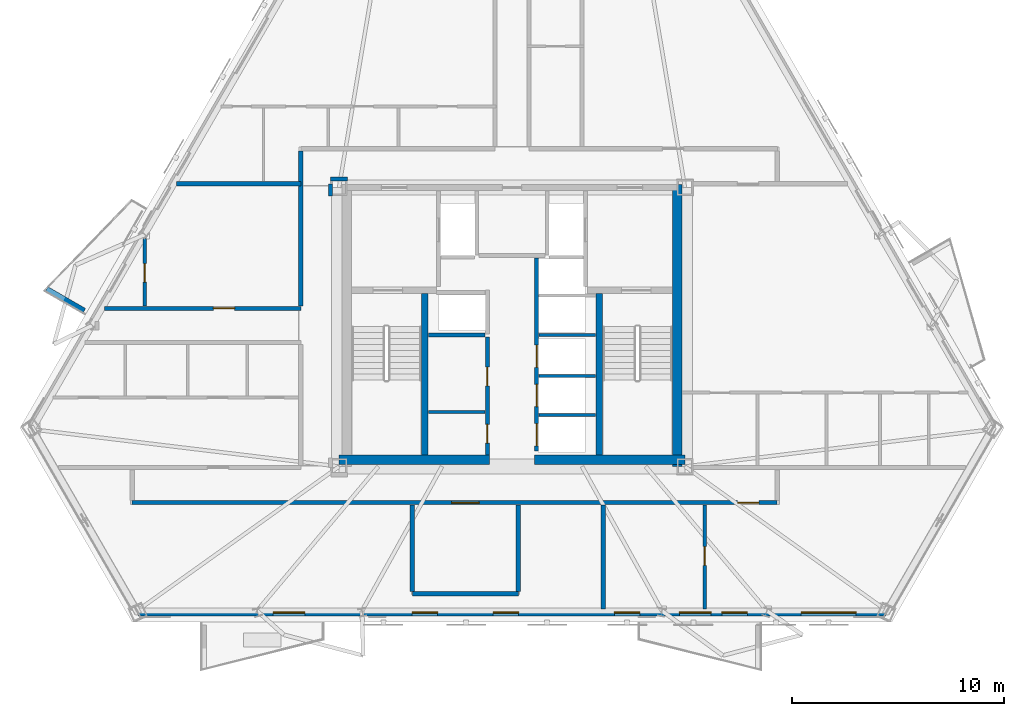
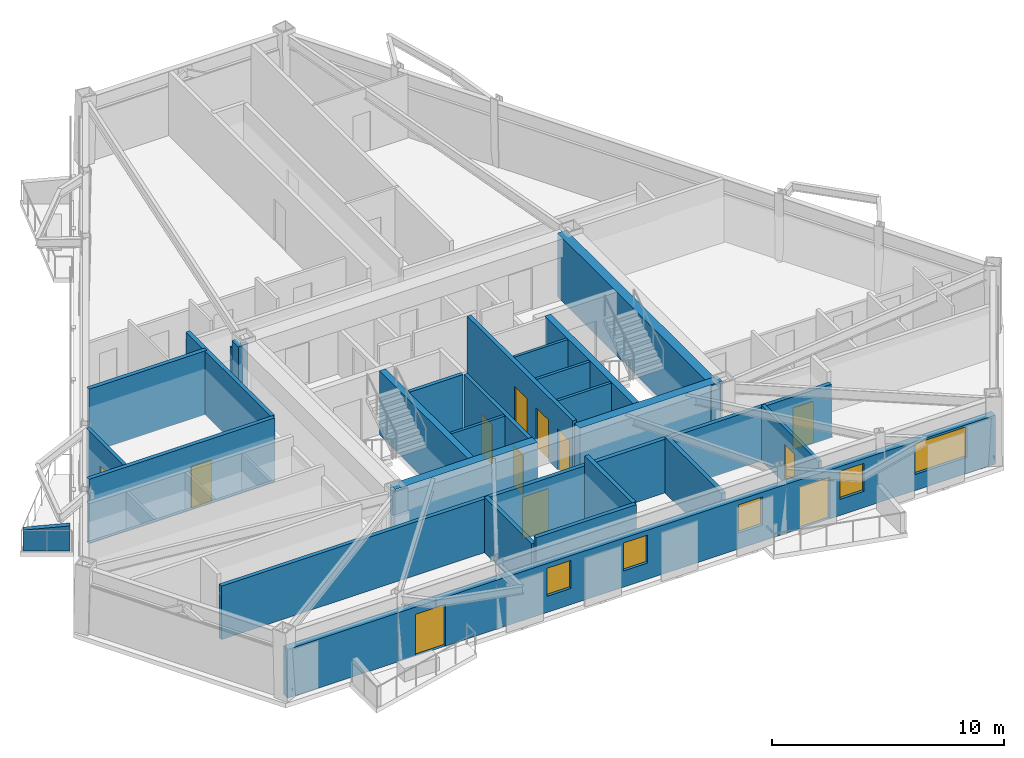
# One storey, part 3 of 9: 26 walls, 12 doors, 5 windows, 17 openings.
"""IFC4 building model written with IfcOpenShell, lengths in metres."""

from ifc_helpers import new_model, si_unit, direction, frame, frame_2d, origin, place, context, subcontext, project, spatial, polyline, rectangle, outline, extrude, material, layer, layer_set, type_object, element, fill, save


model = new_model("IFC4")

# Units and contexts
model_context = context("Model", 3, precision=1e-05, world=origin(), true_north=direction((0.0, 1.0)))
body_context = subcontext(model_context, "Body", "Model", "MODEL_VIEW")
ifc_project = project(units=[si_unit("LENGTHUNIT", "METRE"), si_unit("AREAUNIT", "SQUARE_METRE"), si_unit("VOLUMEUNIT", "CUBIC_METRE"), si_unit("PLANEANGLEUNIT", "RADIAN"), si_unit("MASSUNIT", "GRAM", prefix="KILO")], contexts=[model_context])

# Site, building, storey
site_placement = place(None, origin())
site = spatial("IfcSite", under=ifc_project, at=site_placement, CompositionType="ELEMENT")
building_placement = place(site_placement, origin())
building = spatial("IfcBuilding", under=site, at=building_placement, Name="Oramaril Tower", CompositionType="ELEMENT")
storey_placement = place(building_placement, frame((0.0, 0.0, 138.60009765625)))
storey = spatial("IfcBuildingStorey", under=building, at=storey_placement, Name="L36", CompositionType="ELEMENT", Elevation=138.60009765625)

# Wall, openings, doors, windows
ifc_material_1 = material(Name="Warm Cream Limestone", Category="masonry")
ifc_layer_1 = layer(ifc_material_1, 0.340087890625)
ifc_layer_set_1 = layer_set([ifc_layer_1], Name="WT-EXT34")
wall_type_1 = type_object("IfcWallType", Name="WT-EXT34", PredefinedType="SOLIDWALL", material=ifc_layer_set_1)
wall_1_placement = place(storey_placement, frame((19.867919921875, 4.120849609375, 0.0), z_axis=(0.0, 0.0, 1.0), x_axis=(1.0, 0.0, 0.0)))
wall_1 = element("IfcWall", 1, at=wall_1_placement, inside=storey, type_object=wall_type_1, Name="L36 Tower Limestone Facade Wall 2M", PredefinedType="SOLIDWALL", context=body_context, shape_type="SweptSolid", body=[
    extrude(rectangle(XDim=35.26416015625, YDim=0.340087890625, at=frame_2d((17.632080078125, 0.0))), origin(), (0.0, 0.0, 1.0), 2.579833984375),
])
opening_1_placement = place(wall_1_placement, frame((6.369384765625, 0.0, 0.0)))
opening_1 = element("IfcOpeningElement", 2, at=opening_1_placement, cuts=wall_1, Name="Opening D-L36-BAL-S1", PredefinedType="OPENING", context=body_context, shape_type="SweptSolid", body=[
    extrude(rectangle(XDim=1.5, YDim=2.199951171875, at=frame_2d((0.75, 1.10009765625))), frame((0.0, 0.169921875, 0.0), z_axis=(0.0, -1.0, 0.0), x_axis=(1.0, 0.0, 0.0)), (0.0, 0.0, 1.0), 0.340087890625),
])
opening_2_placement = place(wall_1_placement, frame((25.519775390625, 0.0, 0.0)))
opening_2 = element("IfcOpeningElement", 3, at=opening_2_placement, cuts=wall_1, Name="Opening D-L36-BAL-S2", PredefinedType="OPENING", context=body_context, shape_type="SweptSolid", body=[
    extrude(rectangle(XDim=1.5, YDim=2.199951171875, at=frame_2d((0.75, 1.10009765625))), frame((0.0, 0.169921875, 0.0), z_axis=(0.0, -1.0, 0.0), x_axis=(1.0, 0.0, 0.0)), (0.0, 0.0, 1.0), 0.340087890625),
])
opening_3_placement = place(wall_1_placement, frame((12.923828125, 0.0, 0.85009765625)))
opening_3 = element("IfcOpeningElement", 4, at=opening_3_placement, cuts=wall_1, Name="Opening WN-09", PredefinedType="OPENING", context=body_context, shape_type="SweptSolid", body=[
    extrude(rectangle(XDim=1.199951171875, YDim=1.47998046875, at=frame_2d((0.60009765625, 0.739990234375))), frame((0.0, 0.169921875, 0.0), z_axis=(0.0, -1.0, 0.0), x_axis=(1.0, 0.0, 0.0)), (0.0, 0.0, 1.0), 0.340087890625),
])
opening_4_placement = place(wall_1_placement, frame((16.740478515625, 0.0, 0.85009765625)))
opening_4 = element("IfcOpeningElement", 5, at=opening_4_placement, cuts=wall_1, Name="Opening WN-09", PredefinedType="OPENING", context=body_context, shape_type="SweptSolid", body=[
    extrude(rectangle(XDim=1.199951171875, YDim=1.47998046875, at=frame_2d((0.60009765625, 0.739990234375))), frame((0.0, 0.169921875, 0.0), z_axis=(0.0, -1.0, 0.0), x_axis=(1.0, 0.0, 0.0)), (0.0, 0.0, 1.0), 0.340087890625),
])
opening_5_placement = place(wall_1_placement, frame((27.5283203125, 0.0, 0.85009765625)))
opening_5 = element("IfcOpeningElement", 6, at=opening_5_placement, cuts=wall_1, Name="Opening WN-09", PredefinedType="OPENING", context=body_context, shape_type="SweptSolid", body=[
    extrude(rectangle(XDim=1.199951171875, YDim=1.47998046875, at=frame_2d((0.60009765625, 0.739990234375))), frame((0.0, 0.169921875, 0.0), z_axis=(0.0, -1.0, 0.0), x_axis=(1.0, 0.0, 0.0)), (0.0, 0.0, 1.0), 0.340087890625),
])
opening_6_placement = place(wall_1_placement, frame((31.252685546875, 0.0, 0.85009765625)))
opening_6 = element("IfcOpeningElement", 7, at=opening_6_placement, cuts=wall_1, Name="Opening WN-02", PredefinedType="OPENING", context=body_context, shape_type="SweptSolid", body=[
    extrude(rectangle(XDim=2.60009765625, YDim=1.6201171875, at=frame_2d((1.300048828125, 0.81005859375))), frame((0.0, 0.169921875, 0.0), z_axis=(0.0, -1.0, 0.0), x_axis=(1.0, 0.0, 0.0)), (0.0, 0.0, 1.0), 0.340087890625),
])
opening_7_placement = place(wall_1_placement, frame((22.45703125, 0.0, 0.85009765625)))
opening_7 = element("IfcOpeningElement", 8, at=opening_7_placement, cuts=wall_1, Name="Opening WN-09", PredefinedType="OPENING", context=body_context, shape_type="SweptSolid", body=[
    extrude(rectangle(XDim=1.199951171875, YDim=1.47998046875, at=frame_2d((0.60009765625, 0.739990234375))), frame((0.0, 0.169921875, 0.0), z_axis=(0.0, -1.0, 0.0), x_axis=(1.0, 0.0, 0.0)), (0.0, 0.0, 1.0), 0.340087890625),
])
ifc_material_2 = material(Name="Anodised Aluminium 6063-T6", Category="aluminium")
door_type_1 = type_object("IfcDoorType", Name="DT-BAL", OperationType="NOTDEFINED", PredefinedType="DOOR", material=ifc_material_2)
door_1_placement = place(opening_1_placement, origin())
door_1 = element("IfcDoor", 9, at=door_1_placement, inside=storey, type_object=door_type_1, Name="L36 Balcony Glazed Door L36-BAL-S1", OperationType="SINGLE_SWING_LEFT", OverallHeight=2.199951171875, OverallWidth=1.5, PredefinedType="DOOR", context=body_context, shape_type="SweptSolid", body=[
    extrude(rectangle(XDim=1.5, YDim=2.199951171875, at=frame_2d((0.75, 1.10009765625))), frame((0.0, 0.02490234375, 0.0), z_axis=(0.0, -1.0, 0.0), x_axis=(1.0, 0.0, 0.0)), (0.0, 0.0, 1.0), 0.050048828125),
])
fill(opening_1, door_1)
door_2_placement = place(opening_2_placement, origin())
door_2 = element("IfcDoor", 10, at=door_2_placement, inside=storey, type_object=door_type_1, Name="L36 Balcony Glazed Door L36-BAL-S2", OperationType="SINGLE_SWING_RIGHT", OverallHeight=2.199951171875, OverallWidth=1.5, PredefinedType="DOOR", context=body_context, shape_type="SweptSolid", body=[
    extrude(rectangle(XDim=1.5, YDim=2.199951171875, at=frame_2d((0.75, 1.10009765625))), frame((0.0, 0.02490234375, 0.0), z_axis=(0.0, -1.0, 0.0), x_axis=(1.0, 0.0, 0.0)), (0.0, 0.0, 1.0), 0.050048828125),
])
fill(opening_2, door_2)
ifc_material_3 = material(Name="Coastal Low-E Insulated Glass", Category="glass")
window_type_1 = type_object("IfcWindowType", Name="WNT-02", PartitioningType="SINGLE_PANEL", PredefinedType="WINDOW", material=ifc_material_3)
window_1_placement = place(opening_6_placement, origin())
window_1 = element("IfcWindow", 11, at=window_1_placement, inside=storey, type_object=window_type_1, Name="L36 Chicago Bay Window WN-02", OverallHeight=1.6201171875, OverallWidth=2.60009765625, PartitioningType="SINGLE_PANEL", PredefinedType="WINDOW", context=body_context, shape_type="SweptSolid", body=[
    extrude(rectangle(XDim=2.60009765625, YDim=1.6201171875, at=frame_2d((1.300048828125, 0.81005859375))), frame((0.0, 0.030029296875, 0.0), z_axis=(0.0, -1.0, 0.0), x_axis=(1.0, 0.0, 0.0)), (0.0, 0.0, 1.0), 0.06005859375),
])
fill(opening_6, window_1)
ifc_material_4 = material(Name="Coastal Low-E Insulated Glass", Category="glass")
window_type_2 = type_object("IfcWindowType", Name="WNT-09", PartitioningType="SINGLE_PANEL", PredefinedType="WINDOW", material=ifc_material_4)
window_2_placement = place(opening_3_placement, origin())
window_2 = element("IfcWindow", 12, at=window_2_placement, inside=storey, type_object=window_type_2, Name="L36 Chicago Bay Window WN-09", OverallHeight=1.47998046875, OverallWidth=1.199951171875, PartitioningType="SINGLE_PANEL", PredefinedType="WINDOW", context=body_context, shape_type="SweptSolid", body=[
    extrude(rectangle(XDim=1.199951171875, YDim=1.47998046875, at=frame_2d((0.60009765625, 0.739990234375))), frame((0.0, 0.030029296875, 0.0), z_axis=(0.0, -1.0, 0.0), x_axis=(1.0, 0.0, 0.0)), (0.0, 0.0, 1.0), 0.06005859375),
])
fill(opening_3, window_2)
window_3_placement = place(opening_4_placement, origin())
window_3 = element("IfcWindow", 13, at=window_3_placement, inside=storey, type_object=window_type_2, Name="L36 Chicago Bay Window WN-09", OverallHeight=1.47998046875, OverallWidth=1.199951171875, PartitioningType="SINGLE_PANEL", PredefinedType="WINDOW", context=body_context, shape_type="SweptSolid", body=[
    extrude(rectangle(XDim=1.199951171875, YDim=1.47998046875, at=frame_2d((0.60009765625, 0.739990234375))), frame((0.0, 0.030029296875, 0.0), z_axis=(0.0, -1.0, 0.0), x_axis=(1.0, 0.0, 0.0)), (0.0, 0.0, 1.0), 0.06005859375),
])
fill(opening_4, window_3)
window_4_placement = place(opening_5_placement, origin())
window_4 = element("IfcWindow", 14, at=window_4_placement, inside=storey, type_object=window_type_2, Name="L36 Chicago Bay Window WN-09", OverallHeight=1.47998046875, OverallWidth=1.199951171875, PartitioningType="SINGLE_PANEL", PredefinedType="WINDOW", context=body_context, shape_type="SweptSolid", body=[
    extrude(rectangle(XDim=1.199951171875, YDim=1.47998046875, at=frame_2d((0.60009765625, 0.739990234375))), frame((0.0, 0.030029296875, 0.0), z_axis=(0.0, -1.0, 0.0), x_axis=(1.0, 0.0, 0.0)), (0.0, 0.0, 1.0), 0.06005859375),
])
fill(opening_5, window_4)
window_5_placement = place(opening_7_placement, origin())
window_5 = element("IfcWindow", 15, at=window_5_placement, inside=storey, type_object=window_type_2, Name="L36 Chicago Bay Window WN-09", OverallHeight=1.47998046875, OverallWidth=1.199951171875, PartitioningType="SINGLE_PANEL", PredefinedType="WINDOW", context=body_context, shape_type="SweptSolid", body=[
    extrude(rectangle(XDim=1.199951171875, YDim=1.47998046875, at=frame_2d((0.60009765625, 0.739990234375))), frame((0.0, 0.030029296875, 0.0), z_axis=(0.0, -1.0, 0.0), x_axis=(1.0, 0.0, 0.0)), (0.0, 0.0, 1.0), 0.06005859375),
])
fill(opening_7, window_5)

# Walls
ifc_material_5 = material(Name="Concrete C40/50", Category="concrete")
ifc_layer_2 = layer(ifc_material_5, 0.22998046875)
ifc_layer_set_2 = layer_set([ifc_layer_2], Name="WT-PRP23")
wall_type_2 = type_object("IfcWallType", Name="WT-PRP23", PredefinedType="PARAPET", material=ifc_layer_set_2)
wall_2_placement = place(storey_placement, frame((17.347412109375, 18.34912109375, 0.0), z_axis=(0.0, 0.0, 1.0), x_axis=(-0.866042246008, 0.499970827278, 0.0)))
element("IfcWall", 16, at=wall_2_placement, inside=storey, type_object=wall_type_2, Name="L36 Trapezoidal Balcony Frame Cheek L36-BAL-NW2-R", PredefinedType="PARAPET", context=body_context, shape_type="SweptSolid", body=[
    extrude(outline(polyline([(0.0, 0.0), (2.0419921875, 0.0), (2.0419921875, 1.099853515625), (0.0, 1.31982421875), (0.0, 0.0)])), frame((0.0, 0.114990234375, 0.0), z_axis=(0.0, -1.0, 0.0), x_axis=(1.0, 0.0, 0.0)), (0.0, 0.0, 1.0), 0.22998046875),
])
ifc_material_6 = material(Name="Acoustic Gypsum Board Partition")
ifc_layer_3 = layer(ifc_material_6, 0.139892578125)
ifc_layer_set_3 = layer_set([ifc_layer_3], Name="WT-PT14")
wall_type_3 = type_object("IfcWallType", Name="WT-PT14", PredefinedType="PARTITIONING", material=ifc_layer_set_3)
for number, where, z_axis, x_axis, name in (
    (17, (33.56005859375, 13.570068359375, 0.0), (0.0, 0.0, 1.0), (1.0, 0.0, 0.0), "L36 Freed Shaft Divider"),
    (18, (38.780029296875, 13.419921875, 0.0), (0.0, 0.0, 1.0), (1.0, 0.0, 0.0), "L36 East Lift Divider"),
    (19, (38.780029296875, 15.27001953125, 0.0), (0.0, 0.0, 1.0), (1.0, 0.0, 0.0), "L36 East Lift Divider"),
    (20, (38.780029296875, 17.199951171875, 0.0), (0.0, 0.0, 1.0), (1.0, 0.0, 0.0), "L36 East Lift Divider"),
):
    element("IfcWall", number, at=place(storey_placement, frame(where, z_axis=z_axis, x_axis=x_axis)), inside=storey, type_object=wall_type_3, Name=name, PredefinedType="PARTITIONING", context=body_context, shape_type="SweptSolid", body=[
        extrude(rectangle(XDim=2.659912109375, YDim=0.139892578125, at=frame_2d((1.330078125, 0.0))), origin(), (0.0, 0.0, 1.0), 3.35986328125),
    ])

# Wall, opening, door
ifc_material_7 = material(Name="Acoustic Gypsum Board Partition")
ifc_layer_4 = layer(ifc_material_7, 0.159912109375)
ifc_layer_set_4 = layer_set([ifc_layer_4], Name="WT-PT16")
wall_type_4 = type_object("IfcWallType", Name="WT-PT16", PredefinedType="PARTITIONING", material=ifc_layer_set_4)
wall_3_placement = place(storey_placement, frame((20.199951171875, 18.553955078125, 0.0), z_axis=(0.0, 0.0, 1.0), x_axis=(0.0, 1.0, 0.0)))
wall_3 = element("IfcWall", 21, at=wall_3_placement, inside=storey, type_object=wall_type_4, Name="L36 Interior Partition PT-16", PredefinedType="PARTITIONING", context=body_context, shape_type="SweptSolid", body=[
    extrude(rectangle(XDim=3.187255859375, YDim=0.159912109375, at=frame_2d((1.59375, 0.0))), origin(), (0.0, 0.0, 1.0), 3.35986328125),
])
opening_8_placement = place(wall_3_placement, frame((1.133056640625, 0.0, 0.0)))
opening_8 = element("IfcOpeningElement", 22, at=opening_8_placement, cuts=wall_3, Name="Opening D-L36-22", PredefinedType="OPENING", context=body_context, shape_type="SweptSolid", body=[
    extrude(rectangle(XDim=0.8798828125, YDim=2.080078125, at=frame_2d((0.43994140625, 1.0400390625))), frame((0.0, 0.080078125, 0.0), z_axis=(0.0, -1.0, 0.0), x_axis=(1.0, 0.0, 0.0)), (0.0, 0.0, 1.0), 0.159912109375),
])
ifc_material_8 = material(Name="FSC Brazilian Freijo Hardwood", Category="wood")
door_type_2 = type_object("IfcDoorType", Name="DT-BATH", OperationType="NOTDEFINED", PredefinedType="DOOR", material=ifc_material_8)
door_3_placement = place(opening_8_placement, origin())
door_3 = element("IfcDoor", 23, at=door_3_placement, inside=storey, type_object=door_type_2, Name="L36 Flat L36-U4 Bathroom Door D-L36-22", OperationType="SINGLE_SWING_RIGHT", OverallHeight=2.080078125, OverallWidth=0.8798828125, PredefinedType="DOOR", context=body_context, shape_type="SweptSolid", body=[
    extrude(rectangle(XDim=0.8798828125, YDim=2.080078125, at=frame_2d((0.43994140625, 1.0400390625))), frame((0.0, 0.02490234375, 0.0), z_axis=(0.0, -1.0, 0.0), x_axis=(1.0, 0.0, 0.0)), (0.0, 0.0, 1.0), 0.050048828125),
])
fill(opening_8, door_3)

wall_4_placement = place(storey_placement, frame((46.590087890625, 4.294921875, 0.0), z_axis=(0.0, 0.0, 1.0), x_axis=(0.0, 1.0, 0.0)))
wall_4 = element("IfcWall", 24, at=wall_4_placement, inside=storey, type_object=wall_type_4, Name="L36 Interior Partition PT-16", PredefinedType="PARTITIONING", context=body_context, shape_type="SweptSolid", body=[
    extrude(rectangle(XDim=4.901123046875, YDim=0.159912109375, at=frame_2d((2.45068359375, 0.0))), origin(), (0.0, 0.0, 1.0), 2.94580078125),
])
opening_9_placement = place(wall_4_placement, frame((2.050537109375, 0.0, 0.0)))
opening_9 = element("IfcOpeningElement", 25, at=opening_9_placement, cuts=wall_4, Name="Opening D-L36-25", PredefinedType="OPENING", context=body_context, shape_type="SweptSolid", body=[
    extrude(rectangle(XDim=0.8798828125, YDim=2.080078125, at=frame_2d((0.43994140625, 1.0400390625))), frame((0.0, 0.080078125, 0.0), z_axis=(0.0, -1.0, 0.0), x_axis=(1.0, 0.0, 0.0)), (0.0, 0.0, 1.0), 0.159912109375),
])
door_4_placement = place(opening_9_placement, origin())
door_4 = element("IfcDoor", 26, at=door_4_placement, inside=storey, type_object=door_type_2, Name="L36 Flat L36-U2 Bathroom Door D-L36-25", OperationType="SINGLE_SWING_LEFT", OverallHeight=2.080078125, OverallWidth=0.8798828125, PredefinedType="DOOR", context=body_context, shape_type="SweptSolid", body=[
    extrude(rectangle(XDim=0.8798828125, YDim=2.080078125, at=frame_2d((0.43994140625, 1.0400390625))), frame((0.0, 0.02490234375, 0.0), z_axis=(0.0, -1.0, 0.0), x_axis=(1.0, 0.0, 0.0)), (0.0, 0.0, 1.0), 0.050048828125),
])
fill(opening_9, door_4)

# Wall
ifc_material_9 = material(Name="Autoclaved Cellular Concrete Block", Category="concrete")
ifc_layer_5 = layer(ifc_material_9, 0.179931640625)
ifc_layer_set_5 = layer_set([ifc_layer_5], Name="WT-PT18")
wall_type_5 = type_object("IfcWallType", Name="WT-PT18", PredefinedType="PARTITIONING", material=ifc_layer_set_5)
wall_5_placement = place(storey_placement, frame((33.56005859375, 17.199951171875, 0.0), z_axis=(0.0, 0.0, 1.0), x_axis=(1.0, 0.0, 0.0)))
element("IfcWall", 27, at=wall_5_placement, inside=storey, type_object=wall_type_5, Name="L36 High-Rise Lift H1 South Wall", PredefinedType="PARTITIONING", context=body_context, shape_type="SweptSolid", body=[
    extrude(rectangle(XDim=2.659912109375, YDim=0.179931640625, at=frame_2d((1.330078125, 0.0))), origin(), (0.0, 0.0, 1.0), 3.35986328125),
])

# Wall, openings, doors
wall_6_placement = place(storey_placement, frame((36.340087890625, 11.550048828125, 0.0), z_axis=(0.0, 0.0, 1.0), x_axis=(0.0, 1.0, 0.0)))
wall_6 = element("IfcWall", 28, at=wall_6_placement, inside=storey, type_object=wall_type_5, Name="L36 Freed Shaft Study East Wall", PredefinedType="PARTITIONING", context=body_context, shape_type="SweptSolid", body=[
    extrude(rectangle(XDim=5.550048828125, YDim=0.179931640625, at=frame_2d((2.77490234375, 0.0))), origin(), (0.0, 0.0, 1.0), 3.35986328125),
])
opening_10_placement = place(wall_6_placement, frame((0.550048828125, 0.0, 0.0)))
opening_10 = element("IfcOpeningElement", 29, at=opening_10_placement, cuts=wall_6, Name="Opening D-L36-FL1", PredefinedType="OPENING", context=body_context, shape_type="SweptSolid", body=[
    extrude(rectangle(XDim=0.8798828125, YDim=2.080078125, at=frame_2d((0.43994140625, 1.0400390625))), frame((0.0, 0.08984375, 0.0), z_axis=(0.0, -1.0, 0.0), x_axis=(1.0, 0.0, 0.0)), (0.0, 0.0, 1.0), 0.179931640625),
])
opening_11_placement = place(wall_6_placement, frame((3.25, 0.0, 0.0)))
opening_11 = element("IfcOpeningElement", 30, at=opening_11_placement, cuts=wall_6, Name="Opening D-L36-FL2", PredefinedType="OPENING", context=body_context, shape_type="SweptSolid", body=[
    extrude(rectangle(XDim=0.8798828125, YDim=2.080078125, at=frame_2d((0.43994140625, 1.0400390625))), frame((0.0, 0.08984375, 0.0), z_axis=(0.0, -1.0, 0.0), x_axis=(1.0, 0.0, 0.0)), (0.0, 0.0, 1.0), 0.179931640625),
])
door_5_placement = place(opening_10_placement, origin())
door_5 = element("IfcDoor", 31, at=door_5_placement, inside=storey, type_object=door_type_2, Name="L36 L36 Residents Tasting Dining Nook Door", OperationType="SINGLE_SWING_LEFT", OverallHeight=2.080078125, OverallWidth=0.8798828125, PredefinedType="DOOR", context=body_context, shape_type="SweptSolid", body=[
    extrude(rectangle(XDim=0.8798828125, YDim=2.080078125, at=frame_2d((0.43994140625, 1.0400390625))), frame((0.0, 0.02490234375, 0.0), z_axis=(0.0, -1.0, 0.0), x_axis=(1.0, 0.0, 0.0)), (0.0, 0.0, 1.0), 0.050048828125),
])
fill(opening_10, door_5)
door_6_placement = place(opening_11_placement, origin())
door_6 = element("IfcDoor", 32, at=door_6_placement, inside=storey, type_object=door_type_2, Name="L36 L36 Floor Co-Work Office Door", OperationType="SINGLE_SWING_RIGHT", OverallHeight=2.080078125, OverallWidth=0.8798828125, PredefinedType="DOOR", context=body_context, shape_type="SweptSolid", body=[
    extrude(rectangle(XDim=0.8798828125, YDim=2.080078125, at=frame_2d((0.43994140625, 1.0400390625))), frame((0.0, 0.02490234375, 0.0), z_axis=(0.0, -1.0, 0.0), x_axis=(1.0, 0.0, 0.0)), (0.0, 0.0, 1.0), 0.050048828125),
])
fill(opening_11, door_6)

# Wall
ifc_material_10 = material(Name="Autoclaved Cellular Concrete Block", Category="concrete")
ifc_layer_6 = layer(ifc_material_10, 0.199951171875)
ifc_layer_set_6 = layer_set([ifc_layer_6], Name="WT-PT20")
wall_type_6 = type_object("IfcWallType", Name="WT-PT20", PredefinedType="PARTITIONING", material=ifc_layer_set_6)
wall_7_placement = place(storey_placement, frame((32.800048828125, 5.0, 0.0), z_axis=(0.0, 0.0, 1.0), x_axis=(1.0, 0.0, 0.0)))
element("IfcWall", 33, at=wall_7_placement, inside=storey, type_object=wall_type_6, Name="L36 Interior Partition PT-20", PredefinedType="PARTITIONING", context=body_context, shape_type="SweptSolid", body=[
    extrude(rectangle(XDim=5.0, YDim=0.199951171875, at=frame_2d((2.5, 0.0))), origin(), (0.0, 0.0, 1.0), 3.35986328125),
])

# Wall, openings, doors
wall_8_placement = place(storey_placement, frame((19.60009765625, 9.300048828125, 0.0), z_axis=(0.0, 0.0, 1.0), x_axis=(1.0, 0.0, 0.0)))
wall_8 = element("IfcWall", 34, at=wall_8_placement, inside=storey, type_object=wall_type_6, Name="L36 Interior Partition PT-20", PredefinedType="PARTITIONING", context=body_context, shape_type="SweptSolid", body=[
    extrude(rectangle(XDim=30.39990234375, YDim=0.199951171875, at=frame_2d((15.199951171875, 0.0))), origin(), (0.0, 0.0, 1.0), 2.822021484375),
])
opening_12_placement = place(wall_8_placement, frame((15.050048828125, 0.0, 0.0)))
opening_12 = element("IfcOpeningElement", 35, at=opening_12_placement, cuts=wall_8, Name="Opening D-L36-01", PredefinedType="OPENING", context=body_context, shape_type="SweptSolid", body=[
    extrude(rectangle(XDim=1.300048828125, YDim=2.199951171875, at=frame_2d((0.64990234375, 1.10009765625))), frame((0.0, 0.10009765625, 0.0), z_axis=(0.0, -1.0, 0.0), x_axis=(1.0, 0.0, 0.0)), (0.0, 0.0, 1.0), 0.199951171875),
])
opening_13_placement = place(wall_8_placement, frame((28.535400390625, 0.0, 0.0)))
opening_13 = element("IfcOpeningElement", 36, at=opening_13_placement, cuts=wall_8, Name="Opening D-L36-02", PredefinedType="OPENING", context=body_context, shape_type="SweptSolid", body=[
    extrude(rectangle(XDim=1.0, YDim=2.179931640625, at=frame_2d((0.5, 1.08984375))), frame((0.0, 0.10009765625, 0.0), z_axis=(0.0, -1.0, 0.0), x_axis=(1.0, 0.0, 0.0)), (0.0, 0.0, 1.0), 0.199951171875),
])
ifc_material_11 = material(Name="FSC Brazilian Freijo Hardwood", Category="wood")
door_type_3 = type_object("IfcDoorType", Name="DT-APT", OperationType="NOTDEFINED", PredefinedType="DOOR", material=ifc_material_11)
door_7_placement = place(opening_13_placement, origin())
door_7 = element("IfcDoor", 37, at=door_7_placement, inside=storey, type_object=door_type_3, Name="L36 Flat L36-U2 Kitchen and Studio Apartment Door D-L36-02", OperationType="SINGLE_SWING_RIGHT", OverallHeight=2.179931640625, OverallWidth=1.0, PredefinedType="DOOR", context=body_context, shape_type="SweptSolid", body=[
    extrude(rectangle(XDim=1.0, YDim=2.179931640625, at=frame_2d((0.5, 1.08984375))), frame((0.0, 0.02490234375, 0.0), z_axis=(0.0, -1.0, 0.0), x_axis=(1.0, 0.0, 0.0)), (0.0, 0.0, 1.0), 0.050048828125),
])
fill(opening_13, door_7)
ifc_material_12 = material(Name="FSC Brazilian Freijo Hardwood", Category="wood")
door_type_4 = type_object("IfcDoorType", Name="DT-COM", OperationType="NOTDEFINED", PredefinedType="DOOR", material=ifc_material_12)
door_8_placement = place(opening_12_placement, origin())
door_8 = element("IfcDoor", 38, at=door_8_placement, inside=storey, type_object=door_type_4, Name="L36 L36 Residents Floor Meeting Suite Door D-L36-01", OperationType="SINGLE_SWING_LEFT", OverallHeight=2.199951171875, OverallWidth=1.300048828125, PredefinedType="DOOR", context=body_context, shape_type="SweptSolid", body=[
    extrude(rectangle(XDim=1.300048828125, YDim=2.199951171875, at=frame_2d((0.64990234375, 1.10009765625))), frame((0.0, 0.02490234375, 0.0), z_axis=(0.0, -1.0, 0.0), x_axis=(1.0, 0.0, 0.0)), (0.0, 0.0, 1.0), 0.050048828125),
])
fill(opening_12, door_8)

# Wall, opening, door
wall_9_placement = place(storey_placement, frame((18.297119140625, 18.449951171875, 0.0), z_axis=(0.0, 0.0, 1.0), x_axis=(1.0, 0.0, 0.0)))
wall_9 = element("IfcWall", 39, at=wall_9_placement, inside=storey, type_object=wall_type_6, Name="L36 Interior Partition PT-20", PredefinedType="PARTITIONING", context=body_context, shape_type="SweptSolid", body=[
    extrude(rectangle(XDim=9.2529296875, YDim=0.199951171875, at=frame_2d((4.62646484375, 0.0))), origin(), (0.0, 0.0, 1.0), 3.35986328125),
])
opening_14_placement = place(wall_9_placement, frame((5.1328125, 0.0, 0.0)))
opening_14 = element("IfcOpeningElement", 40, at=opening_14_placement, cuts=wall_9, Name="Opening D-L36-13", PredefinedType="OPENING", context=body_context, shape_type="SweptSolid", body=[
    extrude(rectangle(XDim=1.0, YDim=2.179931640625, at=frame_2d((0.5, 1.08984375))), frame((0.0, 0.10009765625, 0.0), z_axis=(0.0, -1.0, 0.0), x_axis=(1.0, 0.0, 0.0)), (0.0, 0.0, 1.0), 0.199951171875),
])
door_9_placement = place(opening_14_placement, origin())
door_9 = element("IfcDoor", 41, at=door_9_placement, inside=storey, type_object=door_type_3, Name="L36 Flat L36-U4 Kitchen and Studio Apartment Door D-L36-13", OperationType="SINGLE_SWING_LEFT", OverallHeight=2.179931640625, OverallWidth=1.0, PredefinedType="DOOR", context=body_context, shape_type="SweptSolid", body=[
    extrude(rectangle(XDim=1.0, YDim=2.179931640625, at=frame_2d((0.5, 1.08984375))), frame((0.0, 0.02490234375, 0.0), z_axis=(0.0, -1.0, 0.0), x_axis=(1.0, 0.0, 0.0)), (0.0, 0.0, 1.0), 0.050048828125),
])
fill(opening_14, door_9)

# Walls
wall_10_placement = place(storey_placement, frame((21.68603515625, 24.320068359375, 0.0), z_axis=(0.0, 0.0, 1.0), x_axis=(1.0, 0.0, 0.0)))
element("IfcWall", 42, at=wall_10_placement, inside=storey, type_object=wall_type_6, Name="L36 Interior Partition PT-20", PredefinedType="PARTITIONING", context=body_context, shape_type="SweptSolid", body=[
    extrude(rectangle(XDim=5.864013671875, YDim=0.199951171875, at=frame_2d((2.93212890625, 0.0))), origin(), (0.0, 0.0, 1.0), 3.35986328125),
])
wall_11_placement = place(storey_placement, frame((28.955078125, 24.550048828125, 0.0), z_axis=(0.0, 0.0, 1.0), x_axis=(1.0, 0.0, 0.0)))
element("IfcWall", 43, at=wall_11_placement, inside=storey, type_object=wall_type_6, Name="L36 Interior Partition PT-20", PredefinedType="PARTITIONING", context=body_context, shape_type="SweptSolid", body=[
    extrude(rectangle(XDim=0.7900390625, YDim=0.199951171875, at=frame_2d((0.39501953125, 0.0))), origin(), (0.0, 0.0, 1.0), 2.822021484375),
])
wall_12_placement = place(storey_placement, frame((27.550048828125, 18.553955078125, 0.0), z_axis=(0.0, 0.0, 1.0), x_axis=(0.0, 1.0, 0.0)))
element("IfcWall", 44, at=wall_12_placement, inside=storey, type_object=wall_type_6, Name="L36 Interior Partition PT-20", PredefinedType="PARTITIONING", context=body_context, shape_type="SweptSolid", body=[
    extrude(rectangle(XDim=7.31201171875, YDim=0.199951171875, at=frame_2d((3.656005859375, 0.0))), origin(), (0.0, 0.0, 1.0), 3.35986328125),
])
wall_13_placement = place(storey_placement, frame((28.949951171875, 23.7548828125, 0.0), z_axis=(0.0, 0.0, 1.0), x_axis=(0.0, 1.0, 0.0)))
element("IfcWall", 45, at=wall_13_placement, inside=storey, type_object=wall_type_6, Name="L36 Interior Partition PT-20", PredefinedType="PARTITIONING", context=body_context, shape_type="SweptSolid", body=[
    extrude(rectangle(XDim=0.565185546875, YDim=0.199951171875, at=frame_2d((0.28271484375, 0.0))), origin(), (0.0, 0.0, 1.0), 3.35986328125),
])
wall_14_placement = place(storey_placement, frame((32.800048828125, 5.10400390625, 0.0), z_axis=(0.0, 0.0, 1.0), x_axis=(0.0, 1.0, 0.0)))
element("IfcWall", 46, at=wall_14_placement, inside=storey, type_object=wall_type_6, Name="L36 Interior Partition PT-20", PredefinedType="PARTITIONING", context=body_context, shape_type="SweptSolid", body=[
    extrude(rectangle(XDim=4.092041015625, YDim=0.199951171875, at=frame_2d((2.0458984375, 0.0))), origin(), (0.0, 0.0, 1.0), 2.94580078125),
])
wall_15_placement = place(storey_placement, frame((37.800048828125, 5.10400390625, 0.0), z_axis=(0.0, 0.0, 1.0), x_axis=(0.0, 1.0, 0.0)))
element("IfcWall", 47, at=wall_15_placement, inside=storey, type_object=wall_type_6, Name="L36 Interior Partition PT-20", PredefinedType="PARTITIONING", context=body_context, shape_type="SweptSolid", body=[
    extrude(rectangle(XDim=4.092041015625, YDim=0.199951171875, at=frame_2d((2.0458984375, 0.0))), origin(), (0.0, 0.0, 1.0), 3.35986328125),
])
wall_16_placement = place(storey_placement, frame((41.800048828125, 4.294921875, 0.0), z_axis=(0.0, 0.0, 1.0), x_axis=(0.0, 1.0, 0.0)))
element("IfcWall", 48, at=wall_16_placement, inside=storey, type_object=wall_type_6, Name="L36 Interior Partition PT-20", PredefinedType="PARTITIONING", context=body_context, shape_type="SweptSolid", body=[
    extrude(rectangle(XDim=4.901123046875, YDim=0.199951171875, at=frame_2d((2.45068359375, 0.0))), origin(), (0.0, 0.0, 1.0), 2.94580078125),
])
ifc_material_13 = material(Name="Concrete C50/60", Category="concrete")
ifc_layer_7 = layer(ifc_material_13, 0.300048828125)
ifc_layer_set_7 = layer_set([ifc_layer_7], Name="WT-SH30")
wall_type_7 = type_object("IfcWallType", Name="WT-SH30", PredefinedType="SHEAR", material=ifc_layer_set_7)
for number, where, z_axis, x_axis, name in (
    (49, (33.3798828125, 11.5400390625, 0.0), (0.0, 0.0, 1.0), (0.0, 1.0, 0.0), "L36 Core Shear Wall CW-ST1E"),
    (50, (41.6201171875, 11.5400390625, 0.0), (0.0, 0.0, 1.0), (0.0, 1.0, 0.0), "L36 Core Shear Wall CW-ST2W"),
):
    element("IfcWall", number, at=place(storey_placement, frame(where, z_axis=z_axis, x_axis=x_axis)), inside=storey, type_object=wall_type_7, Name=name, PredefinedType="SHEAR", context=body_context, shape_type="SweptSolid", body=[
        extrude(rectangle(XDim=7.619873046875, YDim=0.300048828125, at=frame_2d((3.81005859375, 0.0))), origin(), (0.0, 0.0, 1.0), 3.35986328125),
    ])
ifc_material_14 = material(Name="Concrete C50/60", Category="concrete")
ifc_layer_8 = layer(ifc_material_14, 0.449951171875)
ifc_layer_set_8 = layer_set([ifc_layer_8], Name="WT-SH45")
wall_type_8 = type_object("IfcWallType", Name="WT-SH45", PredefinedType="SHEAR", material=ifc_layer_set_8)
wall_17_placement = place(storey_placement, frame((45.284912109375, 11.0, 0.0), z_axis=(0.0, 0.0, 1.0), x_axis=(0.0, 1.0, 0.0)))
element("IfcWall", 51, at=wall_17_placement, inside=storey, type_object=wall_type_8, Name="L36 Core Shear Wall CW-E", PredefinedType="SHEAR", context=body_context, shape_type="SweptSolid", body=[
    extrude(rectangle(XDim=13.300048828125, YDim=0.449951171875, at=frame_2d((6.64990234375, 0.0))), origin(), (0.0, 0.0, 1.0), 3.35986328125),
])
for number, where, z_axis, x_axis, name in (
    (52, (29.35009765625, 11.31494140625, 0.0), (0.0, 0.0, 1.0), (1.0, 0.0, 0.0), "L36 Core Shear Wall CW-SW"),
    (53, (38.550048828125, 11.31494140625, 0.0), (0.0, 0.0, 1.0), (1.0, 0.0, 0.0), "L36 Core Shear Wall CW-SE"),
):
    element("IfcWall", number, at=place(storey_placement, frame(where, z_axis=z_axis, x_axis=x_axis)), inside=storey, type_object=wall_type_8, Name=name, PredefinedType="SHEAR", context=body_context, shape_type="SweptSolid", body=[
        extrude(rectangle(XDim=7.099853515625, YDim=0.449951171875, at=frame_2d((3.5498046875, 0.0))), origin(), (0.0, 0.0, 1.0), 3.35986328125),
    ])

# Wall, openings, doors
ifc_material_15 = material(Name="Autoclaved Cellular Concrete Block", Category="concrete")
ifc_layer_9 = layer(ifc_material_15, 0.199951171875)
ifc_layer_set_9 = layer_set([ifc_layer_9], Name="WT-SHF20")
wall_type_9 = type_object("IfcWallType", Name="WT-SHF20", PredefinedType="PARTITIONING", material=ifc_layer_set_9)
wall_18_placement = place(storey_placement, frame((38.659912109375, 11.719970703125, 0.0), z_axis=(0.0, 0.0, 1.0), x_axis=(0.0, 1.0, 0.0)))
wall_18 = element("IfcWall", 54, at=wall_18_placement, inside=storey, type_object=wall_type_9, Name="L36 East Lift Bank Front Wall", PredefinedType="PARTITIONING", context=body_context, shape_type="SweptSolid", body=[
    extrude(rectangle(XDim=9.10009765625, YDim=0.199951171875, at=frame_2d((4.550048828125, 0.0))), origin(), (0.0, 0.0, 1.0), 3.35986328125),
])
opening_15_placement = place(wall_18_placement, frame((0.2548828125, 0.0, 0.0)))
opening_15 = element("IfcOpeningElement", 55, at=opening_15_placement, cuts=wall_18, Name="Opening LD-L36-LP-M1", PredefinedType="OPENING", context=body_context, shape_type="SweptSolid", body=[
    extrude(rectangle(XDim=1.050048828125, YDim=2.14990234375, at=frame_2d((0.52490234375, 1.074951171875))), frame((0.0, 0.10009765625, 0.0), z_axis=(0.0, -1.0, 0.0), x_axis=(1.0, 0.0, 0.0)), (0.0, 0.0, 1.0), 0.199951171875),
])
opening_16_placement = place(wall_18_placement, frame((2.10498046875, 0.0, 0.0)))
opening_16 = element("IfcOpeningElement", 56, at=opening_16_placement, cuts=wall_18, Name="Opening LD-L36-LP-M2", PredefinedType="OPENING", context=body_context, shape_type="SweptSolid", body=[
    extrude(rectangle(XDim=1.050048828125, YDim=2.14990234375, at=frame_2d((0.52490234375, 1.074951171875))), frame((0.0, 0.10009765625, 0.0), z_axis=(0.0, -1.0, 0.0), x_axis=(1.0, 0.0, 0.0)), (0.0, 0.0, 1.0), 0.199951171875),
])
opening_17_placement = place(wall_18_placement, frame((3.955078125, 0.0, 0.0)))
opening_17 = element("IfcOpeningElement", 57, at=opening_17_placement, cuts=wall_18, Name="Opening LD-L36-LP-M3", PredefinedType="OPENING", context=body_context, shape_type="SweptSolid", body=[
    extrude(rectangle(XDim=1.050048828125, YDim=2.14990234375, at=frame_2d((0.52490234375, 1.074951171875))), frame((0.0, 0.10009765625, 0.0), z_axis=(0.0, -1.0, 0.0), x_axis=(1.0, 0.0, 0.0)), (0.0, 0.0, 1.0), 0.199951171875),
])
ifc_material_16 = material(Name="Stainless Steel 316L", Category="steel")
door_type_5 = type_object("IfcDoorType", Name="DT-LD2", OperationType="NOTDEFINED", PredefinedType="DOOR", material=ifc_material_16)
door_10_placement = place(opening_15_placement, origin())
door_10 = element("IfcDoor", 58, at=door_10_placement, inside=storey, type_object=door_type_5, Name="L36 Lift LP-M1 Sliding Landing Door", OperationType="SLIDING_TO_RIGHT", OverallHeight=2.14990234375, OverallWidth=1.050048828125, PredefinedType="DOOR", context=body_context, shape_type="SweptSolid", body=[
    extrude(rectangle(XDim=1.050048828125, YDim=2.14990234375, at=frame_2d((0.52490234375, 1.074951171875))), frame((0.0, 0.02490234375, 0.0), z_axis=(0.0, -1.0, 0.0), x_axis=(1.0, 0.0, 0.0)), (0.0, 0.0, 1.0), 0.050048828125),
])
fill(opening_15, door_10)
door_11_placement = place(opening_16_placement, origin())
door_11 = element("IfcDoor", 59, at=door_11_placement, inside=storey, type_object=door_type_5, Name="L36 Lift LP-M2 Sliding Landing Door", OperationType="SLIDING_TO_LEFT", OverallHeight=2.14990234375, OverallWidth=1.050048828125, PredefinedType="DOOR", context=body_context, shape_type="SweptSolid", body=[
    extrude(rectangle(XDim=1.050048828125, YDim=2.14990234375, at=frame_2d((0.52490234375, 1.074951171875))), frame((0.0, 0.02490234375, 0.0), z_axis=(0.0, -1.0, 0.0), x_axis=(1.0, 0.0, 0.0)), (0.0, 0.0, 1.0), 0.050048828125),
])
fill(opening_16, door_11)
door_12_placement = place(opening_17_placement, origin())
door_12 = element("IfcDoor", 60, at=door_12_placement, inside=storey, type_object=door_type_5, Name="L36 Lift LP-M3 Sliding Landing Door", OperationType="SLIDING_TO_RIGHT", OverallHeight=2.14990234375, OverallWidth=1.050048828125, PredefinedType="DOOR", context=body_context, shape_type="SweptSolid", body=[
    extrude(rectangle(XDim=1.050048828125, YDim=2.14990234375, at=frame_2d((0.52490234375, 1.074951171875))), frame((0.0, 0.02490234375, 0.0), z_axis=(0.0, -1.0, 0.0), x_axis=(1.0, 0.0, 0.0)), (0.0, 0.0, 1.0), 0.050048828125),
])
fill(opening_17, door_12)

save(model, "model.ifc")
